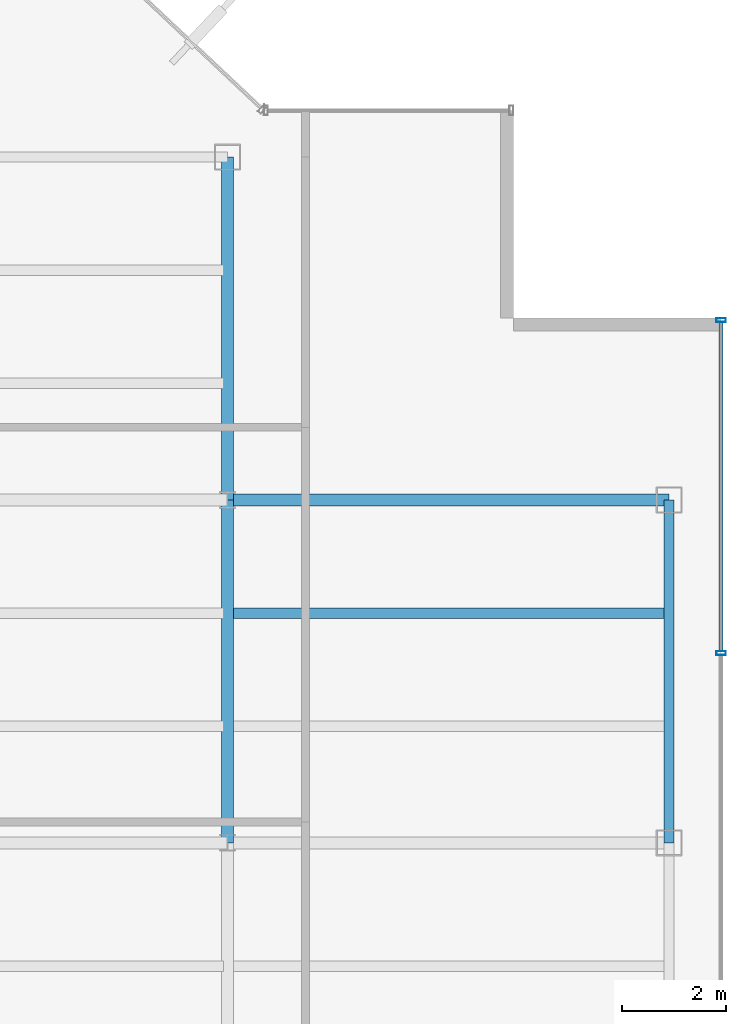
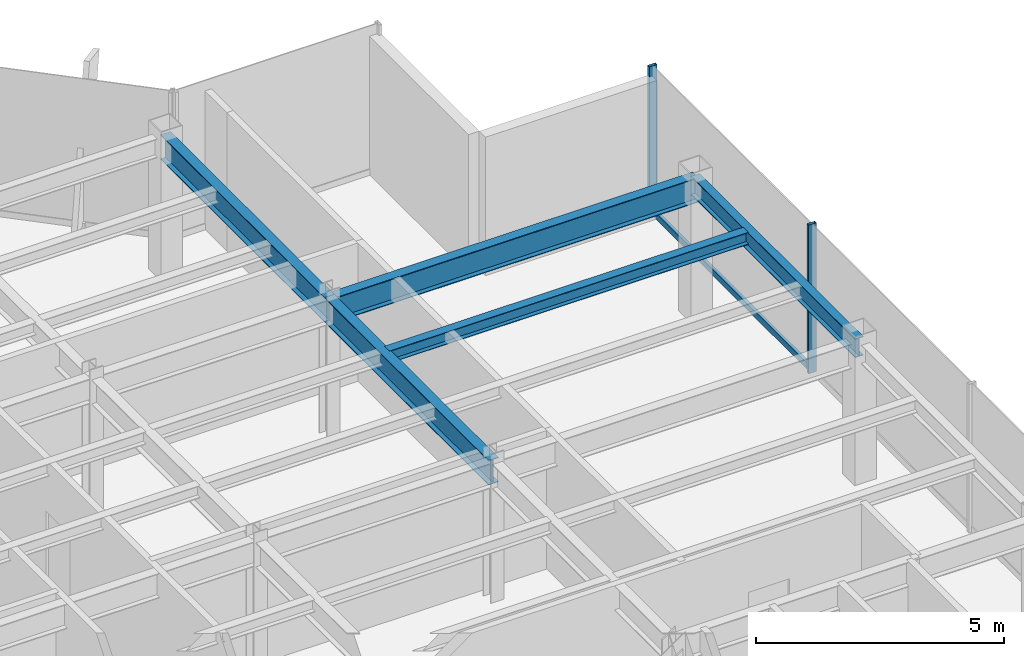
# One storey, part 11 of 22: 5 beams, 3 members, 1 element without a shape of its own.
"""IFC4 building model written with IfcOpenShell, lengths in metres."""

from ifc_helpers import new_model, si_unit, derived_unit, direction, frame, origin, origin_2d, place, context, subcontext, project, spatial, hollow_rectangle, i_section, extrude, source, transform, mapped, material, material_profile, profile_set, type_object, element, aggregate, save


model = new_model("IFC4")

# Units and contexts
model_context = context("Model", 3, precision=1e-05, world=origin(), true_north=direction((0.0, 1.0)))
body_context = subcontext(model_context, "Body", "Model", "MODEL_VIEW")
ifc_project = project(units=[si_unit("LENGTHUNIT", "METRE"), si_unit("AREAUNIT", "SQUARE_METRE"), si_unit("VOLUMEUNIT", "CUBIC_METRE"), si_unit("PLANEANGLEUNIT", "RADIAN"), si_unit("MASSUNIT", "GRAM", prefix="KILO"), derived_unit("THERMALTRANSMITTANCEUNIT", [(si_unit("POWERUNIT", "WATT"), 1), (si_unit("LENGTHUNIT", "METRE"), -2), (si_unit("THERMODYNAMICTEMPERATUREUNIT", "KELVIN"), -1)])], contexts=[model_context])

# Site, building, storey
site_placement = place(None, origin())
site = spatial("IfcSite", under=ifc_project, at=site_placement, CompositionType="ELEMENT")
building_placement = place(site_placement, origin())
building = spatial("IfcBuilding", under=site, at=building_placement, Name="Skarnbrae Concourse Arena and Tower", CompositionType="ELEMENT")
storey_placement = place(building_placement, frame((0.0, 0.0, 277.050048828125)))
storey = spatial("IfcBuildingStorey", under=building, at=storey_placement, Name="L72", CompositionType="ELEMENT", Elevation=277.050048828125)

# Beams
ifc_material_1 = material(Name="Steel CSA G40.21 350W", Category="steel")
ifc_material_profile_1 = material_profile(ifc_material_1, i_section(OverallWidth=0.22802734375, OverallDepth=0.60791015625, WebThickness=0.01123046875, FlangeThickness=0.017333984375, at=origin_2d()), Name="W610X113")
ifc_profile_set_1 = profile_set([ifc_material_profile_1], Name="Steel CSA G40.21 350W")
beam_type_1 = type_object("IfcBeamType", Name="BM-GIRD-W610X113", PredefinedType="BEAM", material=ifc_profile_set_1)
shared_shape_1 = source(origin(), body_context, "Body", "SweptSolid", [
    extrude(i_section(OverallWidth=0.22802734375, OverallDepth=0.60791015625, WebThickness=0.01123046875, FlangeThickness=0.017333984375, at=origin_2d()), origin(), (0.0, 0.0, 1.0), 6.60009765625),
])
beam_1_placement = place(storey_placement, frame((33.5, 21.199951171875, 3.095947265625), z_axis=(0.0, 1.0, 0.0), x_axis=(-1.0, 0.0, 0.0)))
element("IfcBeam", 1, at=beam_1_placement, inside=storey, type_object=beam_type_1, Name="L72 Primary N-S girder X33.5-2", PredefinedType="BEAM", context=body_context, shape_type="MappedRepresentation", body=[
    mapped(shared_shape_1, transform((0.0, 0.0, 0.0))),
])
shared_shape_2 = source(origin(), body_context, "Body", "SweptSolid", [
    extrude(i_section(OverallWidth=0.22802734375, OverallDepth=0.60791015625, WebThickness=0.01123046875, FlangeThickness=0.017333984375, at=origin_2d()), origin(), (0.0, 0.0, 1.0), 8.5),
])
beam_2_placement = place(storey_placement, frame((33.5, 27.800048828125, 3.095947265625), z_axis=(1.0, 0.0, 0.0), x_axis=(0.0, 1.0, 0.0)))
element("IfcBeam", 2, at=beam_2_placement, inside=storey, type_object=beam_type_1, Name="L72 Primary E-W girder Y27.8-6", PredefinedType="BEAM", context=body_context, shape_type="MappedRepresentation", body=[
    mapped(shared_shape_2, transform((0.0, 0.0, 0.0))),
])
ifc_material_profile_2 = material_profile(ifc_material_1, i_section(OverallWidth=0.19091796875, OverallDepth=0.4599609375, WebThickness=0.010009765625, FlangeThickness=0.01611328125, at=origin_2d()), Name="W460X82")
ifc_profile_set_2 = profile_set([ifc_material_profile_2], Name="Steel CSA G40.21 350W")
beam_type_2 = type_object("IfcBeamType", Name="BM-SPAN-W460X82", PredefinedType="SPANDREL", material=ifc_profile_set_2)
shared_shape_3 = source(origin(), body_context, "Body", "SweptSolid", [
    extrude(i_section(OverallWidth=0.19091796875, OverallDepth=0.4599609375, WebThickness=0.010009765625, FlangeThickness=0.01611328125, at=origin_2d()), origin(), (0.0, 0.0, 1.0), 6.60009765625),
])
beam_3_placement = place(storey_placement, frame((42.0, 21.199951171875, 3.169921875), z_axis=(0.0, 1.0, 0.0), x_axis=(-1.0, 0.0, 0.0)))
element("IfcBeam", 3, at=beam_3_placement, inside=storey, type_object=beam_type_2, Name="L72 Perimeter spandrel X42.0-3", PredefinedType="SPANDREL", context=body_context, shape_type="MappedRepresentation", body=[
    mapped(shared_shape_3, transform((0.0, 0.0, 0.0))),
])
shared_shape_4 = source(origin(), body_context, "Body", "SweptSolid", [
    extrude(i_section(OverallWidth=0.22802734375, OverallDepth=0.60791015625, WebThickness=0.01123046875, FlangeThickness=0.017333984375, at=origin_2d()), origin(), (0.0, 0.0, 1.0), 6.599853515625),
])
beam_4_placement = place(storey_placement, frame((33.5, 27.800048828125, 3.095947265625), z_axis=(0.0, 1.0, 0.0), x_axis=(-1.0, 0.0, 0.0)))
element("IfcBeam", 4, at=beam_4_placement, inside=storey, type_object=beam_type_1, Name="L72 Primary N-S girder X33.5-3", PredefinedType="BEAM", context=body_context, shape_type="MappedRepresentation", body=[
    mapped(shared_shape_4, transform((0.0, 0.0, 0.0))),
])
ifc_material_profile_3 = material_profile(ifc_material_1, i_section(OverallWidth=0.202880859375, OverallDepth=0.302978515625, WebThickness=0.007568359375, FlangeThickness=0.01318359375, at=origin_2d()), Name="W310X60")
ifc_profile_set_3 = profile_set([ifc_material_profile_3], Name="Steel CSA G40.21 350W")
beam_type_3 = type_object("IfcBeamType", Name="BM-JOIST-W310X60", PredefinedType="JOIST", material=ifc_profile_set_3)
shared_shape_5 = source(origin(), body_context, "Body", "SweptSolid", [
    extrude(i_section(OverallWidth=0.202880859375, OverallDepth=0.302978515625, WebThickness=0.007568359375, FlangeThickness=0.01318359375, at=origin_2d()), origin(), (0.0, 0.0, 1.0), 8.33984375),
])
beam_5_placement = place(storey_placement, frame((33.580078125, 25.6220703125, 3.24853515625), z_axis=(1.0, 0.0, 0.0), x_axis=(0.0, 1.0, 0.0)))
element("IfcBeam", 5, at=beam_5_placement, inside=storey, type_object=beam_type_3, Name="L72 Secondary floor joist 2.2.6", PredefinedType="JOIST", context=body_context, shape_type="MappedRepresentation", body=[
    mapped(shared_shape_5, transform((0.0, 0.0, 0.0))),
])

# Curtain wall, members
ifc_material_2 = material(Name="Bronze anodised aluminium 6063-T6", Category="aluminium")
curtain_wall_type = type_object("IfcCurtainWallType", Name="CW-SYS-05-HIGHZONE", PredefinedType="USERDEFINED", material=ifc_material_2)
curtain_wall_placement = place(storey_placement, origin())
curtain_wall = element("IfcCurtainWall", 6, at=curtain_wall_placement, inside=storey, type_object=curtain_wall_type, Name="L72 Unitised curtain wall CW-L72-E04", ObjectType="UNITISED CURTAIN WALL", PredefinedType="USERDEFINED")
ifc_material_profile_4 = material_profile(ifc_material_2, hollow_rectangle(XDim=0.074951171875, YDim=0.179931640625, WallThickness=0.00390625, at=origin_2d()), Name="ALU-MULL-75X180")
ifc_profile_set_4 = profile_set([ifc_material_profile_4], Name="Bronze anodised aluminium 6063-T6")
member_type_1 = type_object("IfcMemberType", Name="CWM-CW-05", PredefinedType="MULLION", material=ifc_profile_set_4)
shared_shape_6 = source(origin(), body_context, "Body", "SweptSolid", [
    extrude(hollow_rectangle(XDim=0.074951171875, YDim=0.179931640625, WallThickness=0.00390625, at=origin_2d()), origin(), (0.0, 0.0, 1.0), 3.64990234375),
])
member_1_placement = place(storey_placement, frame((43.0, 24.85009765625, 0.0), z_axis=(0.0, 0.0, 1.0), x_axis=(0.0, 1.0, 0.0)))
member_1 = element("IfcMember", 7, at=member_1_placement, type_object=member_type_1, Name="CW-L72-E04 Mullion 4", PredefinedType="MULLION", context=body_context, shape_type="MappedRepresentation", body=[
    mapped(shared_shape_6, transform((0.0, 0.0, 0.0))),
])
member_2_placement = place(storey_placement, frame((43.0, 31.262451171875, 0.0), z_axis=(0.0, 0.0, 1.0), x_axis=(0.0, 1.0, 0.0)))
member_2 = element("IfcMember", 8, at=member_2_placement, type_object=member_type_1, Name="CW-L72-E04 Mullion 5", PredefinedType="MULLION", context=body_context, shape_type="MappedRepresentation", body=[
    mapped(shared_shape_6, transform((0.0, 0.0, 0.0))),
])
ifc_material_profile_5 = material_profile(ifc_material_2, hollow_rectangle(XDim=0.074951171875, YDim=0.14990234375, WallThickness=0.00390625, at=origin_2d()), Name="ALU-TRAN-75X150")
ifc_profile_set_5 = profile_set([ifc_material_profile_5], Name="Bronze anodised aluminium 6063-T6")
member_type_2 = type_object("IfcMemberType", Name="CWT-CW-05", PredefinedType="USERDEFINED", material=ifc_profile_set_5)
shared_shape_7 = source(origin(), body_context, "Body", "SweptSolid", [
    extrude(hollow_rectangle(XDim=0.074951171875, YDim=0.14990234375, WallThickness=0.00390625, at=origin_2d()), origin(), (0.0, 0.0, 1.0), 6.337646484375),
])
member_3_placement = place(storey_placement, frame((43.0, 24.887451171875, 0.074951171875), z_axis=(0.0, 1.0, 0.0), x_axis=(-1.0, 0.0, 0.0)))
member_3 = element("IfcMember", 9, at=member_3_placement, type_object=member_type_2, Name="CW-L72-E04 Transom 4", ObjectType="TRANSOM", PredefinedType="USERDEFINED", context=body_context, shape_type="MappedRepresentation", body=[
    mapped(shared_shape_7, transform((0.0, 0.0, 0.0))),
])
aggregate(curtain_wall, [member_1, member_2, member_3])

save(model, "model.ifc")
